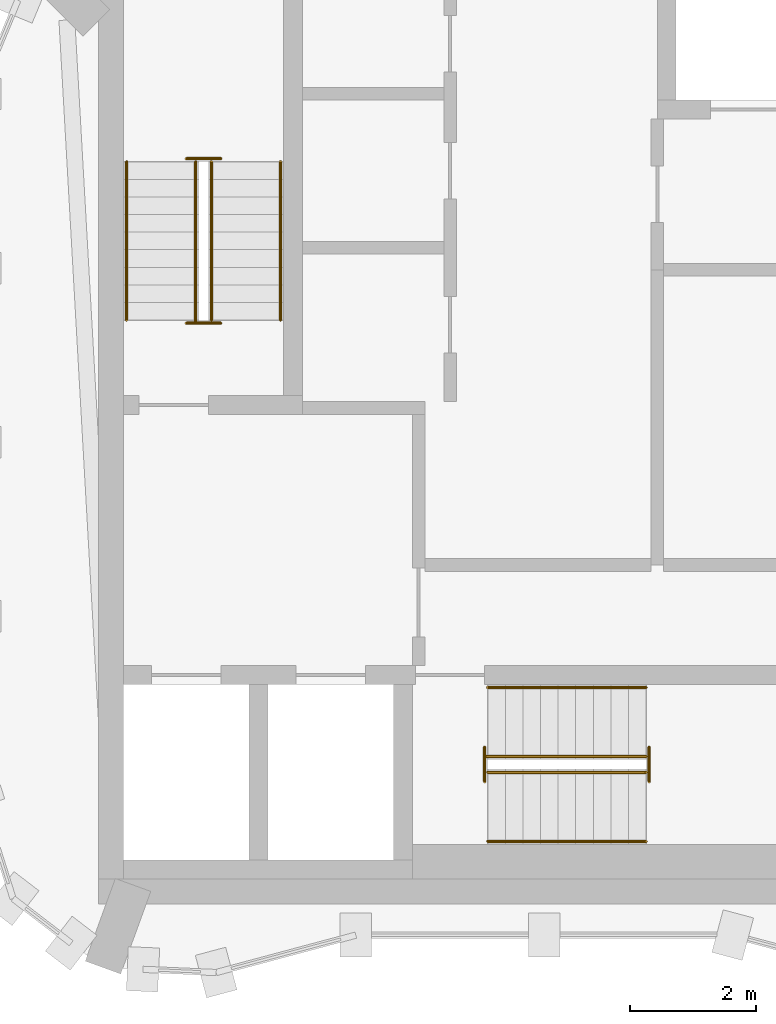
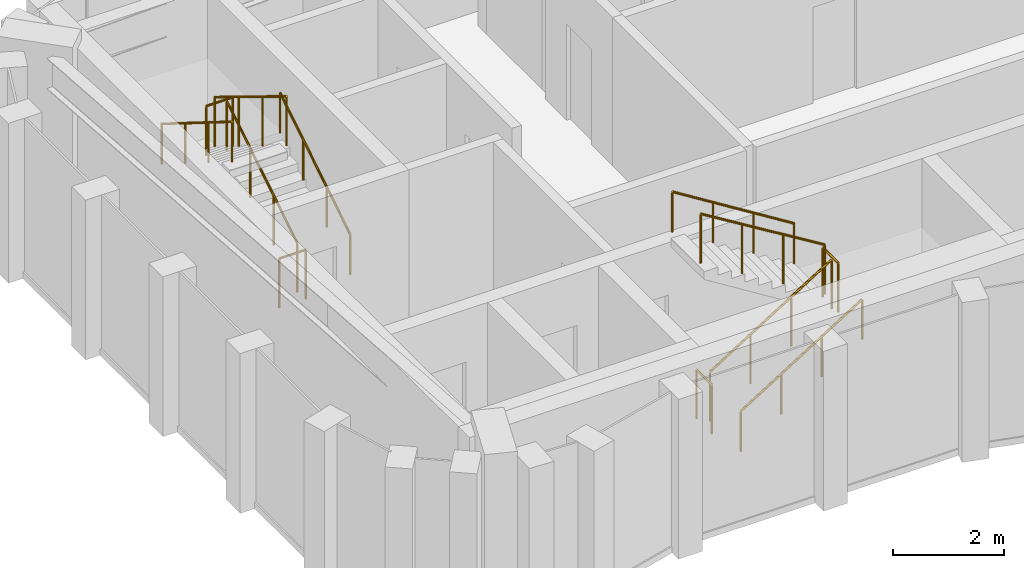
# One storey, part 5 of 5: 12 railings.
"""IFC4 building model written with IfcOpenShell, lengths in metres."""

from ifc_helpers import new_model, si_unit, direction, frame, origin, origin_2d, place, context, subcontext, project, spatial, circle, extrude, material, type_object, element, save


model = new_model("IFC4")

# Units and contexts
model_context = context("Model", 3, precision=1e-05, world=origin(), true_north=direction((0.0, 1.0)))
body_context = subcontext(model_context, "Body", "Model", "MODEL_VIEW")
ifc_project = project(units=[si_unit("LENGTHUNIT", "METRE"), si_unit("AREAUNIT", "SQUARE_METRE"), si_unit("VOLUMEUNIT", "CUBIC_METRE"), si_unit("PLANEANGLEUNIT", "RADIAN"), si_unit("MASSUNIT", "GRAM", prefix="KILO")], contexts=[model_context])

# Site, building, storey
site_placement = place(None, origin())
site = spatial("IfcSite", under=ifc_project, at=site_placement, CompositionType="ELEMENT")
building_placement = place(site_placement, origin())
building = spatial("IfcBuilding", under=site, at=building_placement, Name="Plateau Cross Towers", CompositionType="ELEMENT")
storey_placement = place(building_placement, frame((0.0, 0.0, 305.39990234375)))
storey = spatial("IfcBuildingStorey", under=building, at=storey_placement, Name="L81 Crown 3", CompositionType="ELEMENT", Elevation=305.39990234375)

# Railings
ifc_material_1 = material(Name="Stainless steel and toughened glass", Category="steel")
railing_type_1 = type_object("IfcRailingType", Name="RL-GUARD-1100", PredefinedType="GUARDRAIL", material=ifc_material_1)
railing_1_placement = place(storey_placement, frame((3.699951171875, 11.39990234375, 0.175048828125)))
element("IfcRailing", 1, at=railing_1_placement, inside=storey, type_object=railing_type_1, Name="L81 Crown 3 ST-1 stair guard 1", PredefinedType="GUARDRAIL", context=body_context, shape_type="SweptSolid", body=[
    extrude(circle(Radius=0.02392578125, at=origin_2d()), frame((0.0, 0.0, 1.076171875), z_axis=(0.0, 0.848007534815, 0.529984170421), x_axis=(-1.0, 0.0, 0.0)), (0.0, 0.0, 1.0), 2.9716796875),
    extrude(circle(Radius=0.02099609375, at=origin_2d()), origin(), (0.0, 0.0, 1.0), 1.052001953125),
    extrude(circle(Radius=0.02099609375, at=origin_2d()), frame((0.0, 0.840087890625, 0.52490234375)), (0.0, 0.0, 1.0), 1.052001953125),
    extrude(circle(Radius=0.02099609375, at=origin_2d()), frame((0.0, 1.679931640625, 1.050048828125)), (0.0, 0.0, 1.0), 1.052001953125),
    extrude(circle(Radius=0.02099609375, at=origin_2d()), frame((0.0, 2.52001953125, 1.574951171875)), (0.0, 0.0, 1.0), 1.052001953125),
])
railing_2_placement = place(storey_placement, frame((3.85009765625, 13.969970703125, 1.75)))
element("IfcRailing", 2, at=railing_2_placement, inside=storey, type_object=railing_type_1, Name="L81 Crown 3 ST-1 stair guard 2", PredefinedType="GUARDRAIL", context=body_context, shape_type="SweptSolid", body=[
    extrude(circle(Radius=0.02392578125, at=origin_2d()), frame((0.0, 0.0, 1.076171875), z_axis=(-1.0, 0.0, 0.0), x_axis=(0.0, -1.0, 0.0)), (0.0, 0.0, 1.0), 0.550048828125),
    extrude(circle(Radius=0.02099609375, at=origin_2d()), origin(), (0.0, 0.0, 1.0), 1.052001953125),
    extrude(circle(Radius=0.02099609375, at=origin_2d()), frame((-0.550048828125, 0.0, 0.0)), (0.0, 0.0, 1.0), 1.052001953125),
])
railing_3_placement = place(storey_placement, frame((3.449951171875, 13.919921875, 1.925048828125)))
element("IfcRailing", 3, at=railing_3_placement, inside=storey, type_object=railing_type_1, Name="L81 Crown 3 ST-1 stair guard 3", PredefinedType="GUARDRAIL", context=body_context, shape_type="SweptSolid", body=[
    extrude(circle(Radius=0.02392578125, at=origin_2d()), frame((0.0, 0.0, 1.076171875), z_axis=(0.0, -0.852616386126, 0.522537365276), x_axis=(1.0, 0.0, 0.0)), (0.0, 0.0, 1.0), 3.01416015625),
    extrude(circle(Radius=0.02099609375, at=origin_2d()), origin(), (0.0, 0.0, 1.0), 1.052001953125),
    extrude(circle(Radius=0.02099609375, at=origin_2d()), frame((0.0, -0.856689453125, 0.52490234375)), (0.0, 0.0, 1.0), 1.052001953125),
    extrude(circle(Radius=0.02099609375, at=origin_2d()), frame((0.0, -1.713134765625, 1.050048828125)), (0.0, 0.0, 1.0), 1.052001953125),
    extrude(circle(Radius=0.02099609375, at=origin_2d()), frame((0.0, -2.56982421875, 1.574951171875)), (0.0, 0.0, 1.0), 1.052001953125),
])
railing_4_placement = place(storey_placement, frame((3.85009765625, 11.35009765625, 0.0)))
element("IfcRailing", 4, at=railing_4_placement, inside=storey, type_object=railing_type_1, Name="L81 Crown 3 ST-1 stair guard 4", PredefinedType="GUARDRAIL", context=body_context, shape_type="SweptSolid", body=[
    extrude(circle(Radius=0.02392578125, at=origin_2d()), frame((0.0, 0.0, 1.076171875), z_axis=(-1.0, 0.0, 0.0), x_axis=(0.0, -1.0, 0.0)), (0.0, 0.0, 1.0), 0.550048828125),
    extrude(circle(Radius=0.02099609375, at=origin_2d()), origin(), (0.0, 0.0, 1.0), 1.052001953125),
    extrude(circle(Radius=0.02099609375, at=origin_2d()), frame((-0.550048828125, 0.0, 0.0)), (0.0, 0.0, 1.0), 1.052001953125),
])
railing_5_placement = place(storey_placement, frame((8.10009765625, 4.199951171875, 0.175048828125)))
element("IfcRailing", 5, at=railing_5_placement, inside=storey, type_object=railing_type_1, Name="L81 Crown 3 ST-2 stair guard 1", PredefinedType="GUARDRAIL", context=body_context, shape_type="SweptSolid", body=[
    extrude(circle(Radius=0.02392578125, at=origin_2d()), frame((0.0, 0.0, 1.076171875), z_axis=(0.848007534815, 0.0, 0.529984170421), x_axis=(0.0, 1.0, 0.0)), (0.0, 0.0, 1.0), 2.9716796875),
    extrude(circle(Radius=0.02099609375, at=origin_2d()), origin(), (0.0, 0.0, 1.0), 1.052001953125),
    extrude(circle(Radius=0.02099609375, at=origin_2d()), frame((0.840087890625, 0.0, 0.52490234375)), (0.0, 0.0, 1.0), 1.052001953125),
    extrude(circle(Radius=0.02099609375, at=origin_2d()), frame((1.679931640625, 0.0, 1.050048828125)), (0.0, 0.0, 1.0), 1.052001953125),
    extrude(circle(Radius=0.02099609375, at=origin_2d()), frame((2.52001953125, 0.0, 1.574951171875)), (0.0, 0.0, 1.0), 1.052001953125),
])
railing_6_placement = place(storey_placement, frame((10.669921875, 4.050048828125, 1.75)))
element("IfcRailing", 6, at=railing_6_placement, inside=storey, type_object=railing_type_1, Name="L81 Crown 3 ST-2 stair guard 2", PredefinedType="GUARDRAIL", context=body_context, shape_type="SweptSolid", body=[
    extrude(circle(Radius=0.02392578125, at=origin_2d()), frame((0.0, 0.0, 1.076171875), z_axis=(0.0, 1.0, 0.0), x_axis=(-1.0, 0.0, 0.0)), (0.0, 0.0, 1.0), 0.550048828125),
    extrude(circle(Radius=0.02099609375, at=origin_2d()), origin(), (0.0, 0.0, 1.0), 1.052001953125),
    extrude(circle(Radius=0.02099609375, at=origin_2d()), frame((0.0, 0.550048828125, 0.0)), (0.0, 0.0, 1.0), 1.052001953125),
])
railing_7_placement = place(storey_placement, frame((10.6201171875, 4.449951171875, 1.925048828125)))
element("IfcRailing", 7, at=railing_7_placement, inside=storey, type_object=railing_type_1, Name="L81 Crown 3 ST-2 stair guard 3", PredefinedType="GUARDRAIL", context=body_context, shape_type="SweptSolid", body=[
    extrude(circle(Radius=0.02392578125, at=origin_2d()), frame((0.0, 0.0, 1.076171875), z_axis=(-0.852638500773, 0.0, 0.522501279423), x_axis=(0.0, -1.0, 0.0)), (0.0, 0.0, 1.0), 3.01416015625),
    extrude(circle(Radius=0.02099609375, at=origin_2d()), origin(), (0.0, 0.0, 1.0), 1.052001953125),
    extrude(circle(Radius=0.02099609375, at=origin_2d()), frame((-0.856689453125, 0.0, 0.52490234375)), (0.0, 0.0, 1.0), 1.052001953125),
    extrude(circle(Radius=0.02099609375, at=origin_2d()), frame((-1.71337890625, 0.0, 1.050048828125)), (0.0, 0.0, 1.0), 1.052001953125),
    extrude(circle(Radius=0.02099609375, at=origin_2d()), frame((-2.570068359375, 0.0, 1.574951171875)), (0.0, 0.0, 1.0), 1.052001953125),
])
railing_8_placement = place(storey_placement, frame((8.050048828125, 4.050048828125, 0.0)))
element("IfcRailing", 8, at=railing_8_placement, inside=storey, type_object=railing_type_1, Name="L81 Crown 3 ST-2 stair guard 4", PredefinedType="GUARDRAIL", context=body_context, shape_type="SweptSolid", body=[
    extrude(circle(Radius=0.02392578125, at=origin_2d()), frame((0.0, 0.0, 1.076171875), z_axis=(0.0, 1.0, 0.0), x_axis=(-1.0, 0.0, 0.0)), (0.0, 0.0, 1.0), 0.550048828125),
    extrude(circle(Radius=0.02099609375, at=origin_2d()), origin(), (0.0, 0.0, 1.0), 1.052001953125),
    extrude(circle(Radius=0.02099609375, at=origin_2d()), frame((0.0, 0.550048828125, 0.0)), (0.0, 0.0, 1.0), 1.052001953125),
])
ifc_material_2 = material(Name="Black anodised aluminium", Category="aluminium")
railing_type_2 = type_object("IfcRailingType", Name="RL-HANDRAIL-900", PredefinedType="HANDRAIL", material=ifc_material_2)
railing_9_placement = place(storey_placement, frame((4.800048828125, 11.39990234375, 0.175048828125)))
element("IfcRailing", 9, at=railing_9_placement, inside=storey, type_object=railing_type_2, Name="L81 Crown 3 ST-1 stair handrail 1", PredefinedType="HANDRAIL", context=body_context, shape_type="SweptSolid", body=[
    extrude(circle(Radius=0.02392578125, at=origin_2d()), frame((0.0, 0.0, 0.8759765625), z_axis=(0.0, 0.848007534815, 0.529984170421), x_axis=(-1.0, 0.0, 0.0)), (0.0, 0.0, 1.0), 2.9716796875),
    extrude(circle(Radius=0.02099609375, at=origin_2d()), origin(), (0.0, 0.0, 1.0), 0.851806640625),
    extrude(circle(Radius=0.02099609375, at=origin_2d()), frame((0.0, 0.840087890625, 0.52490234375)), (0.0, 0.0, 1.0), 0.851806640625),
    extrude(circle(Radius=0.02099609375, at=origin_2d()), frame((0.0, 1.679931640625, 1.050048828125)), (0.0, 0.0, 1.0), 0.851806640625),
    extrude(circle(Radius=0.02099609375, at=origin_2d()), frame((0.0, 2.52001953125, 1.574951171875)), (0.0, 0.0, 1.0), 0.851806640625),
])
railing_10_placement = place(storey_placement, frame((2.35009765625, 13.919921875, 1.925048828125)))
element("IfcRailing", 10, at=railing_10_placement, inside=storey, type_object=railing_type_2, Name="L81 Crown 3 ST-1 stair handrail 2", PredefinedType="HANDRAIL", context=body_context, shape_type="SweptSolid", body=[
    extrude(circle(Radius=0.02392578125, at=origin_2d()), frame((0.0, 0.0, 0.8759765625), z_axis=(0.0, -0.848007534815, 0.529984170421), x_axis=(1.0, 0.0, 0.0)), (0.0, 0.0, 1.0), 2.9716796875),
    extrude(circle(Radius=0.02099609375, at=origin_2d()), origin(), (0.0, 0.0, 1.0), 0.851806640625),
    extrude(circle(Radius=0.02099609375, at=origin_2d()), frame((0.0, -0.840087890625, 0.52490234375)), (0.0, 0.0, 1.0), 0.851806640625),
    extrude(circle(Radius=0.02099609375, at=origin_2d()), frame((0.0, -1.679931640625, 1.050048828125)), (0.0, 0.0, 1.0), 0.851806640625),
    extrude(circle(Radius=0.02099609375, at=origin_2d()), frame((0.0, -2.52001953125, 1.574951171875)), (0.0, 0.0, 1.0), 0.851806640625),
])
railing_11_placement = place(storey_placement, frame((8.10009765625, 3.10009765625, 0.175048828125)))
element("IfcRailing", 11, at=railing_11_placement, inside=storey, type_object=railing_type_2, Name="L81 Crown 3 ST-2 stair handrail 1", PredefinedType="HANDRAIL", context=body_context, shape_type="SweptSolid", body=[
    extrude(circle(Radius=0.02392578125, at=origin_2d()), frame((0.0, 0.0, 0.8759765625), z_axis=(0.848007534815, 0.0, 0.529984170421), x_axis=(0.0, 1.0, 0.0)), (0.0, 0.0, 1.0), 2.9716796875),
    extrude(circle(Radius=0.02099609375, at=origin_2d()), origin(), (0.0, 0.0, 1.0), 0.851806640625),
    extrude(circle(Radius=0.02099609375, at=origin_2d()), frame((0.840087890625, 0.0, 0.52490234375)), (0.0, 0.0, 1.0), 0.851806640625),
    extrude(circle(Radius=0.02099609375, at=origin_2d()), frame((1.679931640625, 0.0, 1.050048828125)), (0.0, 0.0, 1.0), 0.851806640625),
    extrude(circle(Radius=0.02099609375, at=origin_2d()), frame((2.52001953125, 0.0, 1.574951171875)), (0.0, 0.0, 1.0), 0.851806640625),
])
railing_12_placement = place(storey_placement, frame((10.6201171875, 5.550048828125, 1.925048828125)))
element("IfcRailing", 12, at=railing_12_placement, inside=storey, type_object=railing_type_2, Name="L81 Crown 3 ST-2 stair handrail 2", PredefinedType="HANDRAIL", context=body_context, shape_type="SweptSolid", body=[
    extrude(circle(Radius=0.02392578125, at=origin_2d()), frame((0.0, 0.0, 0.8759765625), z_axis=(-0.848007534815, 0.0, 0.529984170421), x_axis=(0.0, -1.0, 0.0)), (0.0, 0.0, 1.0), 2.9716796875),
    extrude(circle(Radius=0.02099609375, at=origin_2d()), origin(), (0.0, 0.0, 1.0), 0.851806640625),
    extrude(circle(Radius=0.02099609375, at=origin_2d()), frame((-0.840087890625, 0.0, 0.52490234375)), (0.0, 0.0, 1.0), 0.851806640625),
    extrude(circle(Radius=0.02099609375, at=origin_2d()), frame((-1.679931640625, 0.0, 1.050048828125)), (0.0, 0.0, 1.0), 0.851806640625),
    extrude(circle(Radius=0.02099609375, at=origin_2d()), frame((-2.52001953125, 0.0, 1.574951171875)), (0.0, 0.0, 1.0), 0.851806640625),
])

save(model, "model.ifc")
